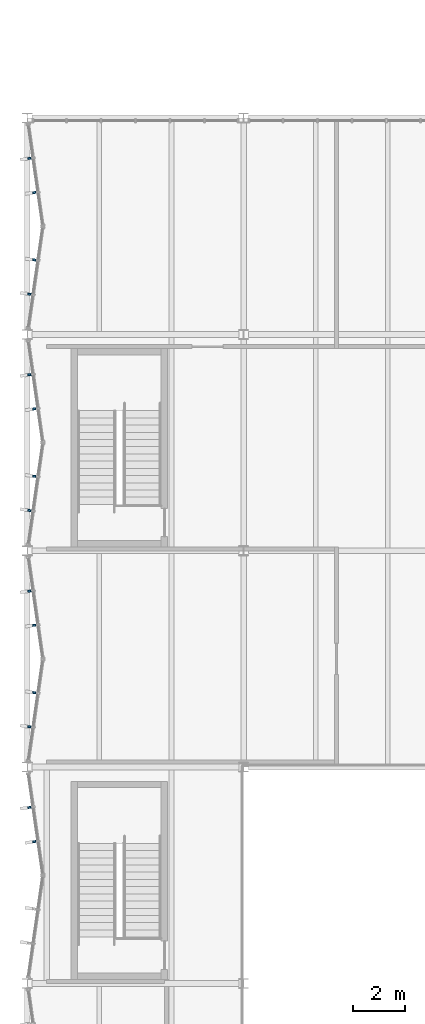
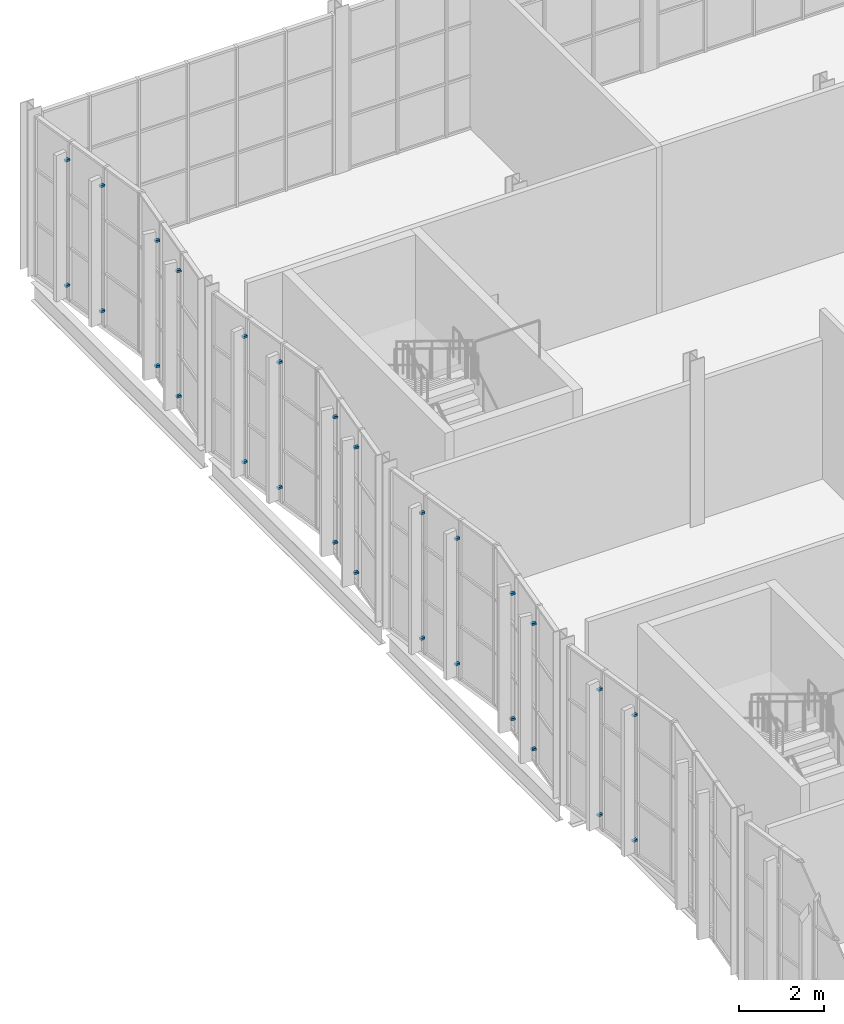
# One storey, part 98 of 127: 28 discrete accessories.
"""IFC4 building model written with IfcOpenShell, lengths in metres."""

from ifc_helpers import new_model, si_unit, direction, frame, origin, origin_2d, place, context, subcontext, project, spatial, rectangle, extrude, material, type_object, element, save


model = new_model("IFC4")

# Units and contexts
model_context = context("Model", 3, precision=1e-05, world=origin(), true_north=direction((0.0, 1.0)))
body_context = subcontext(model_context, "Body", "Model", "MODEL_VIEW")
ifc_project = project(units=[si_unit("LENGTHUNIT", "METRE"), si_unit("AREAUNIT", "SQUARE_METRE"), si_unit("VOLUMEUNIT", "CUBIC_METRE"), si_unit("PLANEANGLEUNIT", "RADIAN"), si_unit("MASSUNIT", "GRAM", prefix="KILO")], contexts=[model_context])

# Site, building, storey
site_placement = place(None, origin())
site = spatial("IfcSite", under=ifc_project, at=site_placement, CompositionType="ELEMENT")
building_placement = place(site_placement, origin())
building = spatial("IfcBuilding", under=site, at=building_placement, Name="Ljudholm Concert House", CompositionType="ELEMENT")
storey_placement = place(building_placement, frame((0.0, 0.0, 5.39990234375)))
storey = spatial("IfcBuildingStorey", under=building, at=storey_placement, Name="L01", CompositionType="ELEMENT", Elevation=5.39990234375)

# Discrete accessories
ifc_material = material(Name="Stainless steel bracket", Category="steel")
discrete_accessory_type = type_object("IfcDiscreteAccessoryType", Name="BRACKET 120", PredefinedType="BRACKET", material=ifc_material)
for number, where, z_axis, x_axis, name in (
    (1, (4.271728515625, 101.90771484375, 0.469970703125), (0.0, 0.0, 1.0), (-0.989949493662, -0.141421356235, 0.0), "Fin bracket"),
    (2, (4.271728515625, 101.90771484375, 4.090087890625), (0.0, 0.0, 1.0), (-0.989949493662, -0.141421356235, 0.0), "Fin bracket"),
    (3, (4.08203125, 103.235107421875, 0.469970703125), (0.0, 0.0, 1.0), (-0.989949493662, -0.141421356235, 0.0), "Fin bracket"),
    (4, (4.08203125, 103.235107421875, 4.090087890625), (0.0, 0.0, 1.0), (-0.989949493662, -0.141421356235, 0.0), "Fin bracket"),
    (5, (4.08203125, 106.364990234375, 0.469970703125), (0.0, 0.0, 1.0), (-0.989949493662, 0.141421356235, 0.0), "Fin bracket"),
    (6, (4.08203125, 106.364990234375, 4.090087890625), (0.0, 0.0, 1.0), (-0.989949493662, 0.141421356235, 0.0), "Fin bracket"),
    (7, (4.271728515625, 107.6923828125, 0.469970703125), (0.0, 0.0, 1.0), (-0.989949493662, 0.141421356235, 0.0), "Fin bracket"),
    (8, (4.271728515625, 107.6923828125, 4.090087890625), (0.0, 0.0, 1.0), (-0.989949493662, 0.141421356235, 0.0), "Fin bracket"),
    (9, (4.271728515625, 110.3076171875, 0.469970703125), (0.0, 0.0, 1.0), (-0.989949493662, -0.141421356235, 0.0), "Fin bracket"),
    (10, (4.271728515625, 110.3076171875, 4.090087890625), (0.0, 0.0, 1.0), (-0.989949493662, -0.141421356235, 0.0), "Fin bracket"),
    (11, (4.08203125, 111.635009765625, 0.469970703125), (0.0, 0.0, 1.0), (-0.989949493662, -0.141421356235, 0.0), "Fin bracket"),
    (12, (4.08203125, 111.635009765625, 4.090087890625), (0.0, 0.0, 1.0), (-0.989949493662, -0.141421356235, 0.0), "Fin bracket"),
    (13, (4.08203125, 114.764892578125, 0.469970703125), (0.0, 0.0, 1.0), (-0.989949493662, 0.141421356235, 0.0), "Fin bracket"),
    (14, (4.08203125, 114.764892578125, 4.090087890625), (0.0, 0.0, 1.0), (-0.989949493662, 0.141421356235, 0.0), "Fin bracket"),
    (15, (4.271728515625, 116.09228515625, 0.469970703125), (0.0, 0.0, 1.0), (-0.989949493662, 0.141421356235, 0.0), "Fin bracket"),
    (16, (4.271728515625, 116.09228515625, 4.090087890625), (0.0, 0.0, 1.0), (-0.989949493662, 0.141421356235, 0.0), "Fin bracket"),
    (17, (4.271728515625, 118.70751953125, 0.469970703125), (0.0, 0.0, 1.0), (-0.989949493662, -0.141421356235, 0.0), "Fin bracket"),
    (18, (4.271728515625, 118.70751953125, 4.090087890625), (0.0, 0.0, 1.0), (-0.989949493662, -0.141421356235, 0.0), "Fin bracket"),
    (19, (4.08203125, 120.034912109375, 0.469970703125), (0.0, 0.0, 1.0), (-0.989949493662, -0.141421356235, 0.0), "Fin bracket"),
    (20, (4.08203125, 120.034912109375, 4.090087890625), (0.0, 0.0, 1.0), (-0.989949493662, -0.141421356235, 0.0), "Fin bracket"),
    (21, (4.08203125, 123.1650390625, 0.469970703125), (0.0, 0.0, 1.0), (-0.989949493662, 0.141421356235, 0.0), "Fin bracket"),
    (22, (4.08203125, 123.1650390625, 4.090087890625), (0.0, 0.0, 1.0), (-0.989949493662, 0.141421356235, 0.0), "Fin bracket"),
    (23, (4.271728515625, 124.492431640625, 0.469970703125), (0.0, 0.0, 1.0), (-0.989949493662, 0.141421356235, 0.0), "Fin bracket"),
    (24, (4.271728515625, 124.492431640625, 4.090087890625), (0.0, 0.0, 1.0), (-0.989949493662, 0.141421356235, 0.0), "Fin bracket"),
    (25, (4.271728515625, 127.107666015625, 0.469970703125), (0.0, 0.0, 1.0), (-0.989949493662, -0.141421356235, 0.0), "Fin bracket"),
    (26, (4.271728515625, 127.107666015625, 4.090087890625), (0.0, 0.0, 1.0), (-0.989949493662, -0.141421356235, 0.0), "Fin bracket"),
    (27, (4.08203125, 128.43505859375, 0.469970703125), (0.0, 0.0, 1.0), (-0.989949493662, -0.141421356235, 0.0), "Fin bracket"),
    (28, (4.08203125, 128.43505859375, 4.090087890625), (0.0, 0.0, 1.0), (-0.989949493662, -0.141421356235, 0.0), "Fin bracket"),
):
    element("IfcDiscreteAccessory", number, at=place(storey_placement, frame(where, z_axis=z_axis, x_axis=x_axis)), inside=storey, type_object=discrete_accessory_type, Name=name, PredefinedType="BRACKET", context=body_context, shape_type="SweptSolid", body=[
        extrude(rectangle(XDim=0.1201171875, YDim=0.080078125, at=origin_2d()), origin(), (0.0, 0.0, 1.0), 0.06005859375),
    ])

save(model, "model.ifc")
